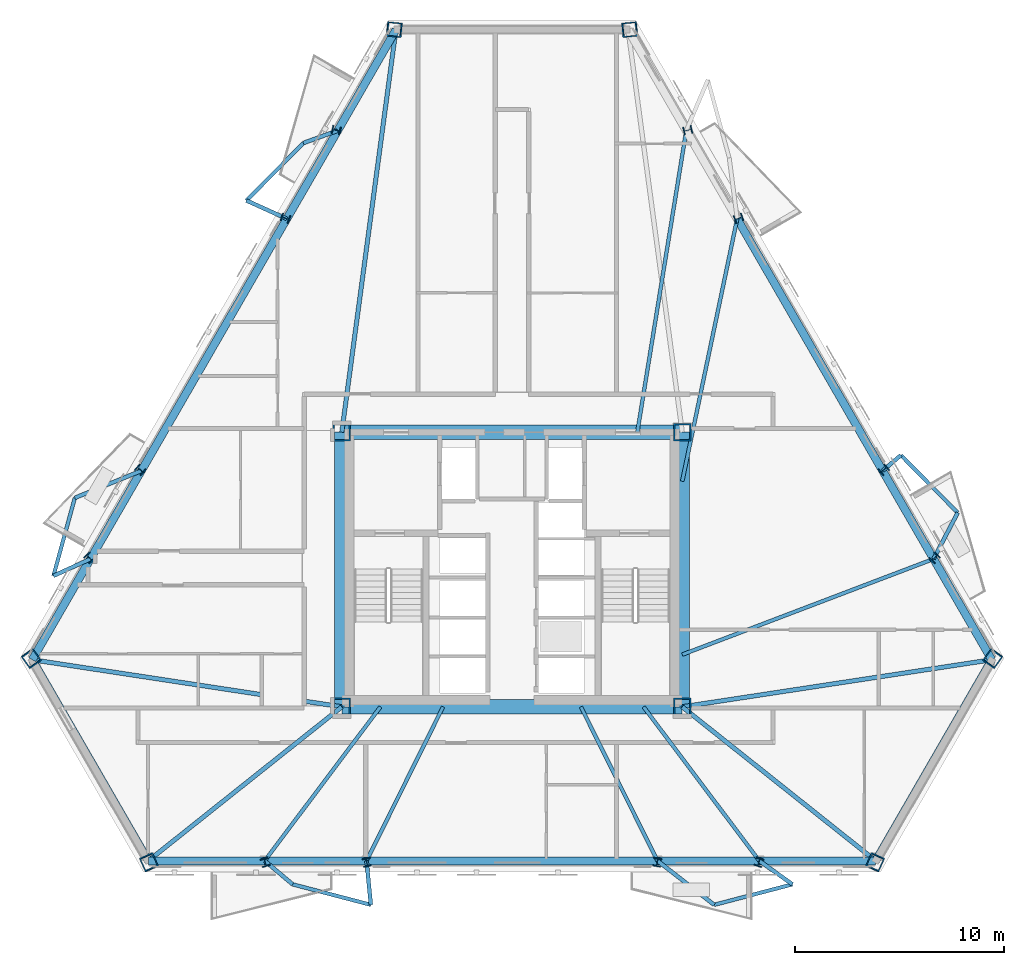
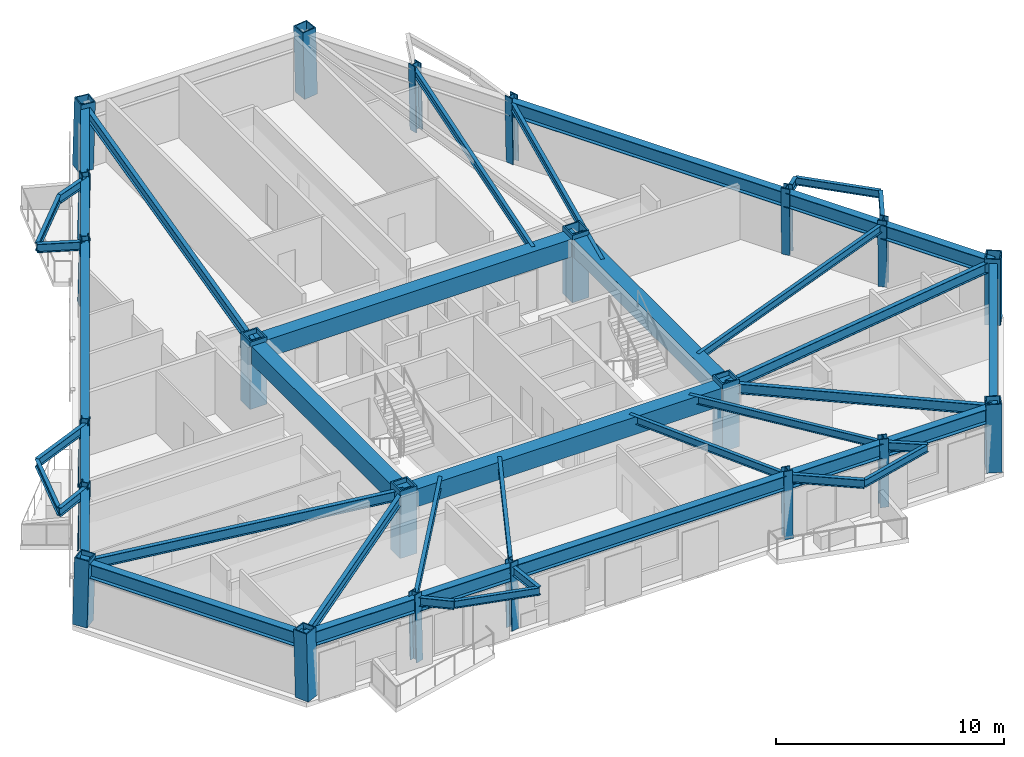
# One storey, part 1 of 11: 46 beams, 22 columns.
"""IFC4 building model written with IfcOpenShell, lengths in metres."""

import ifcopenshell
import ifcopenshell.guid

model = None  # the IFC model being written
_history = None  # IfcOwnerHistory: only IFC2X3 demands one
_inside = {}  # id of a spatial element -> (the spatial element, [elements in it])
_under = {}  # id of a project, library or spatial element -> (it, [spatial elements below it])
_declared = {}  # id of a project -> (the project, [libraries it declares])
_typed = {}  # id of a type object -> (the type object, [elements of that type])
_made_of = {}  # id of a material, layer set ... -> (it, [elements and type objects made of it])


def new_model(schema):
    """Start an empty IFC model of exactly this schema.

    Asked for "IFC4X3", IfcOpenShell would pick the latest addendum, in which some entities
    have other attributes; the version numbers below select the first issue.
    IFC2X3 requires an IfcOwnerHistory on every rooted entity: one is made here for all.
    """
    global model, _history
    if schema == "IFC4X3":
        model = ifcopenshell.file(schema_version=(4, 3, 0, 0))
    else:
        model = ifcopenshell.file(schema=schema)
    _inside.clear()
    _under.clear()
    _declared.clear()
    _typed.clear()
    _made_of.clear()
    _history = None
    if model.schema == "IFC2X3":
        org = make("IfcOrganization", Name="unknown")
        user = make(
            "IfcPersonAndOrganization",
            ThePerson=make("IfcPerson", FamilyName="unknown"),
            TheOrganization=org,
        )
        app = make(
            "IfcApplication",
            ApplicationDeveloper=org,
            Version="unknown",
            ApplicationFullName="unknown",
            ApplicationIdentifier="unknown",
        )
        _history = make(
            "IfcOwnerHistory",
            OwningUser=user,
            OwningApplication=app,
            ChangeAction="ADDED",
            CreationDate=0,
        )
    return model


def make(cls, **values):
    """One entity of the class cls with the attributes given. An attribute that is None is left unset."""
    return model.create_entity(
        cls, **{name: value for name, value in values.items() if value is not None}
    )


def rooted(cls, **values):
    """An entity with a GlobalId (a new one), such as an element, a storey or a relation."""
    return make(cls, GlobalId=ifcopenshell.guid.new(), OwnerHistory=_history, **values)


def si_unit(unit_type, name, prefix=None):
    """IfcSIUnit, for example si_unit("LENGTHUNIT", "METRE", prefix="MILLI")."""
    return make("IfcSIUnit", UnitType=unit_type, Prefix=prefix, Name=name)


def assignment(units):
    """IfcUnitAssignment: the units of a project."""
    return None if units is None else make("IfcUnitAssignment", Units=units)


def point(xyz):
    """IfcCartesianPoint."""
    return None if xyz is None else make("IfcCartesianPoint", Coordinates=xyz)


def direction(xyz):
    """IfcDirection."""
    return None if xyz is None else make("IfcDirection", DirectionRatios=xyz)


def frame(location, z_axis=None, x_axis=None):
    """IfcAxis2Placement3D, a coordinate frame: its origin and axes. An axis left out is left unset."""
    return make(
        "IfcAxis2Placement3D",
        Location=point(location),
        Axis=direction(z_axis),
        RefDirection=direction(x_axis),
    )


def frame_2d(location, x_axis=None):
    """IfcAxis2Placement2D, a coordinate frame in the plane: its origin and x axis."""
    return make(
        "IfcAxis2Placement2D", Location=point(location), RefDirection=direction(x_axis)
    )


def origin():
    """The frame at (0, 0, 0) with its axes left unset."""
    return frame((0.0, 0.0, 0.0))


def origin_2d():
    """The frame at (0, 0) in the plane with its x axis left unset."""
    return frame_2d((0.0, 0.0))


def place(relative_to, where):
    """IfcLocalPlacement: puts the frame where relative to a parent placement (None: the world)."""
    return make(
        "IfcLocalPlacement", PlacementRelTo=relative_to, RelativePlacement=where
    )


def context(
    kind, dimensions, precision=None, world=None, true_north=None, identifier=None
):
    """IfcGeometricRepresentationContext, for example the 3D "Model" context."""
    return make(
        "IfcGeometricRepresentationContext",
        ContextIdentifier=identifier,
        ContextType=kind,
        CoordinateSpaceDimension=dimensions,
        Precision=precision,
        WorldCoordinateSystem=world,
        TrueNorth=true_north,
    )


def subcontext(parent, identifier, kind, view, scale=None):
    """IfcGeometricRepresentationSubContext, for example "Body" below "Model"."""
    return make(
        "IfcGeometricRepresentationSubContext",
        ContextIdentifier=identifier,
        ContextType=kind,
        ParentContext=parent,
        TargetScale=scale,
        TargetView=view,
    )


def project(units=None, contexts=None):
    """IfcProject with its units and contexts."""
    return rooted(
        "IfcProject",
        Name="project",
        RepresentationContexts=contexts,
        UnitsInContext=assignment(units),
    )


def spatial(cls, under=None, at=None, **own):
    """A site, building, storey or space (cls), placed at a placement, below another one or the project."""
    s = rooted(cls, ObjectPlacement=at, **own)
    if under is not None:
        _under.setdefault(under.id(), (under, []))[1].append(s)
    return s


def profile(cls, at=None, kind="AREA", **sizes):
    """A parametric profile (cls). Its sizes go by their IFC names, for example OverallWidth=200.0."""
    return make(cls, ProfileType=kind, Position=at, **sizes)


def rectangle(**sizes):
    """IfcRectangleProfileDef."""
    return profile("IfcRectangleProfileDef", **sizes)


def hollow_rectangle(**sizes):
    """IfcRectangleHollowProfileDef."""
    return profile("IfcRectangleHollowProfileDef", **sizes)


def i_section(**sizes):
    """IfcIShapeProfileDef."""
    return profile("IfcIShapeProfileDef", **sizes)


def extrude(swept, where, along, depth):
    """IfcExtrudedAreaSolid: the profile swept, set in the frame where, extruded along a direction by depth."""
    return make(
        "IfcExtrudedAreaSolid",
        SweptArea=swept,
        Position=where,
        ExtrudedDirection=direction(along),
        Depth=depth,
    )


def shape(context_of_items, identifier, shape_type, items):
    """IfcShapeRepresentation: the items that make up one representation, for example the "Body"."""
    return make(
        "IfcShapeRepresentation",
        ContextOfItems=context_of_items,
        RepresentationIdentifier=identifier,
        RepresentationType=shape_type,
        Items=items,
    )


def material(Name=None, Category=None):
    """IfcMaterial."""
    return make("IfcMaterial", Name=Name, Category=Category)


def material_profile(
    of_material, cross_section, Name=None, Category=None, Priority=None
):
    """IfcMaterialProfile: a cross section and its material."""
    return make(
        "IfcMaterialProfile",
        Name=Name,
        Material=of_material,
        Profile=cross_section,
        Priority=Priority,
        Category=Category,
    )


def profile_set(profiles, Name=None, composite=None):
    """IfcMaterialProfileSet."""
    return make(
        "IfcMaterialProfileSet",
        Name=Name,
        MaterialProfiles=profiles,
        CompositeProfile=composite,
    )


def made_of(thing, what):
    """Note that an element or type object is made of a material, layer set ...; save() writes the relation."""
    if what is not None:
        _made_of.setdefault(what.id(), (what, []))[1].append(thing)
    return thing


def type_object(cls, material=None, **own):
    """A type object (cls), such as IfcWallType, which elements share."""
    return made_of(rooted(cls, **own), material)


def element(
    cls,
    number,
    at=None,
    inside=None,
    cuts=None,
    type_object=None,
    material=None,
    context=None,
    identifier="Body",
    shape_type=None,
    held_by="IfcProductDefinitionShape",
    body=None,
    shapes=None,
    **own,
):
    """One element of the class cls, such as IfcWall. Its Tag is "e" and its number.

    at: its placement. inside: the storey or other place that contains it. cuts: it is an
    opening in that element (IfcRelVoidsElement). A single representation is given by context,
    identifier, shape_type and body (its items); several are given by shapes. held_by: the class
    of the entity that holds the representations. save() writes the other relations.
    """
    e = rooted(cls, Tag="e%d" % number, ObjectPlacement=at, **own)
    if body is not None:
        shapes = [shape(context, identifier, shape_type, body)]
    if shapes is not None:
        e.Representation = make(held_by, Representations=shapes)
    if inside is not None:
        _inside.setdefault(inside.id(), (inside, []))[1].append(e)
    if cuts is not None:
        rooted(
            "IfcRelVoidsElement", RelatingBuildingElement=cuts, RelatedOpeningElement=e
        )
    if type_object is not None:
        _typed.setdefault(type_object.id(), (type_object, []))[1].append(e)
    return made_of(e, material)


def aggregate(whole, parts):
    """IfcRelAggregates: a whole, such as a stair, and the parts it consists of."""
    return rooted("IfcRelAggregates", RelatingObject=whole, RelatedObjects=parts)


def save(model, path):
    """Write the relations noted so far, then the file.

    IfcRelAggregates (storeys below a building ...), IfcRelContainedInSpatialStructure (elements
    in a storey), IfcRelDefinesByType, IfcRelAssociatesMaterial and IfcRelDeclares: one each for
    every whole, place, type object, material and project.
    """
    for whole, parts in _under.values():
        aggregate(whole, parts)
    for where, things in _inside.values():
        rooted(
            "IfcRelContainedInSpatialStructure",
            RelatedElements=things,
            RelatingStructure=where,
        )
    for kind, things in _typed.values():
        rooted("IfcRelDefinesByType", RelatedObjects=things, RelatingType=kind)
    for what, things in _made_of.values():
        rooted("IfcRelAssociatesMaterial", RelatedObjects=things, RelatingMaterial=what)
    for by, libraries in _declared.values():
        rooted("IfcRelDeclares", RelatingContext=by, RelatedDefinitions=libraries)
    model.write(path)


model = new_model("IFC4")

# Units and contexts
model_context = context("Model", 3, precision=1e-05, world=origin(), true_north=direction((0.0, 1.0)))
body_context = subcontext(model_context, "Body", "Model", "MODEL_VIEW")
ifc_project = project(units=[si_unit("LENGTHUNIT", "METRE"), si_unit("AREAUNIT", "SQUARE_METRE"), si_unit("VOLUMEUNIT", "CUBIC_METRE"), si_unit("PLANEANGLEUNIT", "RADIAN"), si_unit("MASSUNIT", "GRAM", prefix="KILO")], contexts=[model_context])

# Site, building, storey
site_placement = place(None, origin())
site = spatial("IfcSite", under=ifc_project, at=site_placement, CompositionType="ELEMENT")
building_placement = place(site_placement, origin())
building = spatial("IfcBuilding", under=site, at=building_placement, Name="Oramaril Tower", CompositionType="ELEMENT")
storey_placement = place(building_placement, frame((0.0, 0.0, 112.199951171875)))
storey = spatial("IfcBuildingStorey", under=building, at=storey_placement, Name="L29", CompositionType="ELEMENT", Elevation=112.199951171875)

# Columns
ifc_material_1 = material(Name="Steel ASTM A572 Gr 50", Category="steel")
ifc_material_profile_1 = material_profile(ifc_material_1, hollow_rectangle(XDim=0.85009765625, YDim=0.85009765625, WallThickness=0.070068359375, at=origin_2d()), Name="BOX850X850X70")
ifc_profile_set_1 = profile_set([ifc_material_profile_1], Name="Steel ASTM A572 Gr 50")
column_type_1 = type_object("IfcColumnType", Name="CT-CC3", PredefinedType="COLUMN", material=ifc_profile_set_1)
for number, where, z_axis, x_axis, name in (
    (1, (29.35009765625, 11.0, 0.0), (0.0, 0.0, 1.0), (1.0, 0.0, 0.0), "L29 Core Column CC-1"),
    (2, (45.64990234375, 11.0, 0.0), (0.0, 0.0, 1.0), (1.0, 0.0, 0.0), "L29 Core Column CC-2"),
    (3, (45.64990234375, 24.14990234375, 0.0), (0.0, 0.0, 1.0), (1.0, 0.0, 0.0), "L29 Core Column CC-3"),
    (4, (29.35009765625, 24.14990234375, 0.0), (0.0, 0.0, 1.0), (1.0, 0.0, 0.0), "L29 Core Column CC-4"),
):
    element("IfcColumn", number, at=place(storey_placement, frame(where, z_axis=z_axis, x_axis=x_axis)), inside=storey, type_object=column_type_1, Name=name, PredefinedType="COLUMN", context=body_context, shape_type="SweptSolid", body=[
        extrude(hollow_rectangle(XDim=0.85009765625, YDim=0.85009765625, WallThickness=0.070068359375, at=origin_2d()), origin(), (0.0, 0.0, 1.0), 3.60009765625),
    ])
ifc_material_2 = material(Name="Steel ASTM A572 Gr 50", Category="steel")
ifc_material_profile_2 = material_profile(ifc_material_2, hollow_rectangle(XDim=0.699951171875, YDim=0.699951171875, WallThickness=0.054931640625, at=origin_2d()), Name="BOX700X700X55")
ifc_profile_set_2 = profile_set([ifc_material_profile_2], Name="Steel ASTM A572 Gr 50")
column_type_2 = type_object("IfcColumnType", Name="CT-TC4", PredefinedType="COLUMN", material=ifc_profile_set_2)
for number, where, z_axis, x_axis, name in (
    (5, (14.47509765625, 13.330322265625, 0.004638671875), (0.015088800127, -0.020934010987, 0.9996669922), (0.811234488781, 0.584720962693, 0.0), "L29 Tube Column TC-01"),
    (6, (20.125, 3.544677734375, 0.004638671875), (-0.010602926009, 0.023584713622, 0.999665613715), (-0.912068988654, -0.410036778761, 0.0), "L29 Tube Column TC-02"),
    (7, (54.875, 3.544677734375, 0.004638671875), (0.010602926009, 0.023584713622, 0.999665613715), (-0.912068988654, 0.410036778761, 0.0), "L29 Tube Column TC-03"),
    (8, (60.52490234375, 13.330322265625, 0.004638671875), (-0.015088800127, -0.020934010987, 0.9996669922), (0.811234488781, -0.584720962693, 0.0), "L29 Tube Column TC-04"),
    (9, (43.149658203125, 43.4248046875, 0.004638671875), (-0.025623807221, -0.00258277102, 0.999668319893), (0.100287593249, -0.994958490913, 0.0), "L29 Tube Column TC-05"),
    (10, (31.850341796875, 43.4248046875, 0.004638671875), (0.025623807221, -0.00258277102, 0.999668319893), (0.100287593249, 0.994958490913, 0.0), "L29 Tube Column TC-06"),
):
    element("IfcColumn", number, at=place(storey_placement, frame(where, z_axis=z_axis, x_axis=x_axis)), inside=storey, type_object=column_type_2, Name=name, PredefinedType="COLUMN", context=body_context, shape_type="SweptSolid", body=[
        extrude(hollow_rectangle(XDim=0.699951171875, YDim=0.699951171875, WallThickness=0.054931640625, at=origin_2d()), origin(), (0.0, 0.0, 1.0), 3.592041015625),
    ])
ifc_material_3 = material(Name="Steel ASTM A572 Gr 50", Category="steel")
ifc_material_profile_3 = material_profile(ifc_material_3, i_section(OverallWidth=0.404052734375, OverallDepth=0.406005859375, WebThickness=0.027099609375, FlangeThickness=0.043701171875, at=origin_2d()), Name="W14X233")
ifc_profile_set_3 = profile_set([ifc_material_profile_3], Name="Steel ASTM A572 Gr 50")
column_type_3 = type_object("IfcColumnType", Name="CT-TF3", PredefinedType="COLUMN", material=ifc_profile_set_3)
for number, where, z_axis, x_axis, name in (
    (11, (25.684814453125, 3.544677734375, 0.004638671875), (-0.007136804242, 0.023585438782, 0.99969635045), (-0.957140321553, -0.289624592977, 0.0), "L29 Tube Column TC-07"),
    (12, (30.550048828125, 3.544677734375, 0.004638671875), (-0.004214182885, 0.023585830018, 0.999712933439), (-0.984410037135, -0.175888825079, 0.0), "L29 Tube Column TC-08"),
    (13, (44.449951171875, 3.544677734375, 0.004638671875), (0.004214182885, 0.023585830018, 0.999712933439), (-0.984410037135, 0.175888825079, 0.0), "L29 Tube Column TC-09"),
    (14, (49.315185546875, 3.544677734375, 0.004638671875), (0.007136804242, 0.023585438782, 0.99969635045), (-0.957140321553, 0.289624592977, 0.0), "L29 Tube Column TC-10"),
    (15, (57.744873046875, 18.1455078125, 0.004638671875), (-0.016788490117, -0.018011942838, 0.999696812296), (0.731514081787, -0.681826332835, 0.0), "L29 Tube Column TC-11"),
    (16, (55.312255859375, 22.358642578125, 0.004638671875), (-0.018284131398, -0.015429359953, 0.999713771732), (0.644922799806, -0.764247723118, 0.0), "L29 Tube Column TC-12"),
    (17, (48.3623046875, 34.396484375, 0.004638671875), (-0.022498326548, -0.008088522233, 0.999714159703), (0.338316746334, -0.941032294425, 0.0), "L29 Tube Column TC-13"),
    (18, (45.9296875, 38.60986328125, 0.004638671875), (-0.023993261765, -0.005573505566, 0.999696583682), (0.226269970362, -0.974064628509, 0.0), "L29 Tube Column TC-14"),
    (19, (29.0703125, 38.60986328125, 0.004638671875), (0.023993261765, -0.005573505566, 0.999696583682), (0.226269970362, 0.974064628509, 0.0), "L29 Tube Column TC-15"),
    (20, (26.6376953125, 34.396484375, 0.004638671875), (0.022498326548, -0.008088522233, 0.999714159703), (0.338316746334, 0.941032294425, 0.0), "L29 Tube Column TC-16"),
    (21, (19.687744140625, 22.358642578125, 0.004638671875), (0.018284131398, -0.015429359953, 0.999713771732), (0.644922799806, 0.764247723118, 0.0), "L29 Tube Column TC-17"),
    (22, (17.255126953125, 18.1455078125, 0.004638671875), (0.016788490117, -0.018011942838, 0.999696812296), (0.731514081787, 0.681826332835, 0.0), "L29 Tube Column TC-18"),
):
    element("IfcColumn", number, at=place(storey_placement, frame(where, z_axis=z_axis, x_axis=x_axis)), inside=storey, type_object=column_type_3, Name=name, PredefinedType="COLUMN", context=body_context, shape_type="SweptSolid", body=[
        extrude(i_section(OverallWidth=0.404052734375, OverallDepth=0.406005859375, WebThickness=0.027099609375, FlangeThickness=0.043701171875, at=origin_2d()), origin(), (0.0, 0.0, 1.0), 3.591796875),
    ])

# Beams
ifc_material_4 = material(Name="Steel ASTM A572 Gr 50", Category="steel")
ifc_material_profile_4 = material_profile(ifc_material_4, i_section(OverallWidth=0.19091796875, OverallDepth=0.45703125, WebThickness=0.009033203125, FlangeThickness=0.014404296875, at=origin_2d()), Name="W18X50")
ifc_profile_set_4 = profile_set([ifc_material_profile_4], Name="Steel ASTM A572 Gr 50")
beam_type_1 = type_object("IfcBeamType", Name="BT-BB1", PredefinedType="BEAM", material=ifc_profile_set_4)
beam_1_placement = place(storey_placement, frame((25.6591796875, 3.62939453125, 3.131591796875), z_axis=(0.765001543869, -0.644028444929, 0.0), x_axis=(0.644028444929, 0.765001543869, 0.0)))
element("IfcBeam", 23, at=beam_1_placement, inside=storey, type_object=beam_type_1, Name="L29 Balcony Column-Framed Cantilever 01.1", PredefinedType="BEAM", context=body_context, shape_type="SweptSolid", body=[
    extrude(i_section(OverallWidth=0.19091796875, OverallDepth=0.45703125, WebThickness=0.009033203125, FlangeThickness=0.014404296875, at=origin_2d()), origin(), (0.0, 0.0, 1.0), 1.751708984375),
])
beam_2_placement = place(storey_placement, frame((30.534912109375, 3.62939453125, 3.131591796875), z_axis=(0.098419667533, -0.995144999004, 0.0), x_axis=(0.995144999004, 0.098419667533, 0.0)))
element("IfcBeam", 24, at=beam_2_placement, inside=storey, type_object=beam_type_1, Name="L29 Balcony Column-Framed Cantilever 01.2", PredefinedType="BEAM", context=body_context, shape_type="SweptSolid", body=[
    extrude(i_section(OverallWidth=0.19091796875, OverallDepth=0.45703125, WebThickness=0.009033203125, FlangeThickness=0.014404296875, at=origin_2d()), origin(), (0.0, 0.0, 1.0), 2.118408203125),
])
beam_3_placement = place(storey_placement, frame((44.465087890625, 3.62939453125, 3.131591796875), z_axis=(0.790016969381, -0.613084976239, 0.0), x_axis=(0.613084976239, 0.790016969381, 0.0)))
element("IfcBeam", 25, at=beam_3_placement, inside=storey, type_object=beam_type_1, Name="L29 Balcony Column-Framed Cantilever 02.1", PredefinedType="BEAM", context=body_context, shape_type="SweptSolid", body=[
    extrude(i_section(OverallWidth=0.19091796875, OverallDepth=0.45703125, WebThickness=0.009033203125, FlangeThickness=0.014404296875, at=origin_2d()), origin(), (0.0, 0.0, 1.0), 3.438720703125),
])
beam_4_placement = place(storey_placement, frame((49.3408203125, 3.62939453125, 3.131591796875), z_axis=(0.814690509785, -0.579896002113, 0.0), x_axis=(0.579896002113, 0.814690509785, 0.0)))
element("IfcBeam", 26, at=beam_4_placement, inside=storey, type_object=beam_type_1, Name="L29 Balcony Column-Framed Cantilever 02.2", PredefinedType="BEAM", context=body_context, shape_type="SweptSolid", body=[
    extrude(i_section(OverallWidth=0.19091796875, OverallDepth=0.45703125, WebThickness=0.009033203125, FlangeThickness=0.014404296875, at=origin_2d()), origin(), (0.0, 0.0, 1.0), 1.945556640625),
])
beam_5_placement = place(storey_placement, frame((57.6845703125, 18.080810546875, 3.131591796875), z_axis=(0.462589387905, 0.886572646881, 0.0), x_axis=(-0.886572646881, 0.462589387905, 0.0)))
element("IfcBeam", 27, at=beam_5_placement, inside=storey, type_object=beam_type_1, Name="L29 Balcony Column-Framed Cantilever 03.1", PredefinedType="BEAM", context=body_context, shape_type="SweptSolid", body=[
    extrude(i_section(OverallWidth=0.19091796875, OverallDepth=0.45703125, WebThickness=0.009033203125, FlangeThickness=0.014404296875, at=origin_2d()), origin(), (0.0, 0.0, 1.0), 2.498046875),
])
beam_6_placement = place(storey_placement, frame((55.24658203125, 22.30322265625, 3.131591796875), z_axis=(0.76075669102, 0.649037176954, 0.0), x_axis=(-0.649037176954, 0.76075669102, 0.0)))
element("IfcBeam", 28, at=beam_6_placement, inside=storey, type_object=beam_type_1, Name="L29 Balcony Column-Framed Cantilever 03.2", PredefinedType="BEAM", context=body_context, shape_type="SweptSolid", body=[
    extrude(i_section(OverallWidth=0.19091796875, OverallDepth=0.45703125, WebThickness=0.009033203125, FlangeThickness=0.014404296875, at=origin_2d()), origin(), (0.0, 0.0, 1.0), 1.147216796875),
])
beam_7_placement = place(storey_placement, frame((29.156494140625, 38.58984375, 3.131591796875), z_axis=(-0.940244309496, -0.340500570427, 0.0), x_axis=(0.340500570427, -0.940244309496, 0.0)))
element("IfcBeam", 29, at=beam_7_placement, inside=storey, type_object=beam_type_1, Name="L29 Balcony Column-Framed Cantilever 05.1", PredefinedType="BEAM", context=body_context, shape_type="SweptSolid", body=[
    extrude(i_section(OverallWidth=0.19091796875, OverallDepth=0.45703125, WebThickness=0.009033203125, FlangeThickness=0.014404296875, at=origin_2d()), origin(), (0.0, 0.0, 1.0), 1.751708984375),
])
beam_8_placement = place(storey_placement, frame((26.718505859375, 34.367431640625, 3.131591796875), z_axis=(-0.911048138605, 0.412299998961, 0.0), x_axis=(-0.412299998961, -0.911048138605, 0.0)))
element("IfcBeam", 30, at=beam_8_placement, inside=storey, type_object=beam_type_1, Name="L29 Balcony Column-Framed Cantilever 05.2", PredefinedType="BEAM", context=body_context, shape_type="SweptSolid", body=[
    extrude(i_section(OverallWidth=0.19091796875, OverallDepth=0.45703125, WebThickness=0.009033203125, FlangeThickness=0.014404296875, at=origin_2d()), origin(), (0.0, 0.0, 1.0), 2.1181640625),
])
beam_9_placement = place(storey_placement, frame((19.75341796875, 22.30322265625, 3.131591796875), z_axis=(-0.925943433069, -0.377662228395, 0.0), x_axis=(0.377662228395, -0.925943433069, 0.0)))
element("IfcBeam", 31, at=beam_9_placement, inside=storey, type_object=beam_type_1, Name="L29 Balcony Column-Framed Cantilever 06.1", PredefinedType="BEAM", context=body_context, shape_type="SweptSolid", body=[
    extrude(i_section(OverallWidth=0.19091796875, OverallDepth=0.45703125, WebThickness=0.009033203125, FlangeThickness=0.014404296875, at=origin_2d()), origin(), (0.0, 0.0, 1.0), 3.4384765625),
])
beam_10_placement = place(storey_placement, frame((17.3154296875, 18.080810546875, 3.131591796875), z_axis=(-0.909517858458, -0.415664847138, 0.0), x_axis=(0.415664847138, -0.909517858458, 0.0)))
element("IfcBeam", 32, at=beam_10_placement, inside=storey, type_object=beam_type_1, Name="L29 Balcony Column-Framed Cantilever 06.2", PredefinedType="BEAM", context=body_context, shape_type="SweptSolid", body=[
    extrude(i_section(OverallWidth=0.19091796875, OverallDepth=0.45703125, WebThickness=0.009033203125, FlangeThickness=0.014404296875, at=origin_2d()), origin(), (0.0, 0.0, 1.0), 1.9453125),
])
ifc_material_5 = material(Name="Concrete C50/60", Category="concrete")
ifc_material_profile_5 = material_profile(ifc_material_5, rectangle(XDim=0.699951171875, YDim=0.949951171875, at=origin_2d()), Name="CB700X950")
ifc_profile_set_5 = profile_set([ifc_material_profile_5], Name="Concrete C50/60")
beam_type_2 = type_object("IfcBeamType", Name="BT-CB1", PredefinedType="BEAM", material=ifc_profile_set_5)
beam_11_placement = place(storey_placement, frame((29.35009765625, 11.0, 2.885009765625), z_axis=(1.0, 0.0, 0.0), x_axis=(0.0, 1.0, 0.0)))
element("IfcBeam", 33, at=beam_11_placement, inside=storey, type_object=beam_type_2, Name="L29 Core Header Beam CB-1", PredefinedType="BEAM", context=body_context, shape_type="SweptSolid", body=[
    extrude(rectangle(XDim=0.699951171875, YDim=0.949951171875, at=origin_2d()), origin(), (0.0, 0.0, 1.0), 16.2998046875),
])
beam_12_placement = place(storey_placement, frame((45.64990234375, 11.0, 2.885009765625), z_axis=(0.0, 1.0, 0.0), x_axis=(-1.0, 0.0, 0.0)))
element("IfcBeam", 34, at=beam_12_placement, inside=storey, type_object=beam_type_2, Name="L29 Core Header Beam CB-2", PredefinedType="BEAM", context=body_context, shape_type="SweptSolid", body=[
    extrude(rectangle(XDim=0.699951171875, YDim=0.949951171875, at=origin_2d()), origin(), (0.0, 0.0, 1.0), 13.14990234375),
])
beam_13_placement = place(storey_placement, frame((45.64990234375, 24.14990234375, 2.885009765625), z_axis=(-1.0, 0.0, 0.0), x_axis=(0.0, -1.0, 0.0)))
element("IfcBeam", 35, at=beam_13_placement, inside=storey, type_object=beam_type_2, Name="L29 Core Header Beam CB-3", PredefinedType="BEAM", context=body_context, shape_type="SweptSolid", body=[
    extrude(rectangle(XDim=0.699951171875, YDim=0.949951171875, at=origin_2d()), origin(), (0.0, 0.0, 1.0), 16.2998046875),
])
beam_14_placement = place(storey_placement, frame((29.35009765625, 24.14990234375, 2.885009765625), z_axis=(0.0, -1.0, 0.0), x_axis=(1.0, 0.0, 0.0)))
element("IfcBeam", 36, at=beam_14_placement, inside=storey, type_object=beam_type_2, Name="L29 Core Header Beam CB-4", PredefinedType="BEAM", context=body_context, shape_type="SweptSolid", body=[
    extrude(rectangle(XDim=0.699951171875, YDim=0.949951171875, at=origin_2d()), origin(), (0.0, 0.0, 1.0), 13.14990234375),
])
ifc_material_6 = material(Name="Steel ASTM A572 Gr 50", Category="steel")
ifc_material_profile_6 = material_profile(ifc_material_6, i_section(OverallWidth=0.2099609375, OverallDepth=0.535888671875, WebThickness=0.010986328125, FlangeThickness=0.017333984375, at=origin_2d()), Name="W21X68")
ifc_profile_set_6 = profile_set([ifc_material_profile_6], Name="Steel ASTM A572 Gr 50")
beam_type_3 = type_object("IfcBeamType", Name="BT-FB2", PredefinedType="BEAM", material=ifc_profile_set_6)
beam_15_placement = place(storey_placement, frame((29.35009765625, 11.0, 3.092041015625), z_axis=(-0.988620943436, 0.15042815627, 0.0), x_axis=(-0.15042815627, -0.988620943436, 0.0)))
element("IfcBeam", 37, at=beam_15_placement, inside=storey, type_object=beam_type_3, Name="L29 Radial Primary Beam RB-01", PredefinedType="BEAM", context=body_context, shape_type="SweptSolid", body=[
    extrude(i_section(OverallWidth=0.2099609375, OverallDepth=0.535888671875, WebThickness=0.010986328125, FlangeThickness=0.017333984375, at=origin_2d()), origin(), (0.0, 0.0, 1.0), 14.991455078125),
])
for number, where, z_axis, x_axis, name in (
    (38, (29.35009765625, 11.0, 3.092041015625), (-0.782511986937, -0.622635519626, 0.0), (0.622635519626, -0.782511986937, 0.0), "L29 Radial Primary Beam RB-02"),
    (39, (45.64990234375, 11.0, 3.092041015625), (0.782511986937, -0.622635519626, 0.0), (0.622635519626, 0.782511986937, 0.0), "L29 Radial Primary Beam RB-03"),
):
    element("IfcBeam", number, at=place(storey_placement, frame(where, z_axis=z_axis, x_axis=x_axis)), inside=storey, type_object=beam_type_3, Name=name, PredefinedType="BEAM", context=body_context, shape_type="SweptSolid", body=[
        extrude(i_section(OverallWidth=0.2099609375, OverallDepth=0.535888671875, WebThickness=0.010986328125, FlangeThickness=0.017333984375, at=origin_2d()), origin(), (0.0, 0.0, 1.0), 11.837646484375),
    ])
beam_16_placement = place(storey_placement, frame((45.64990234375, 11.0, 3.092041015625), z_axis=(0.988620943436, 0.15042815627, 0.0), x_axis=(-0.15042815627, 0.988620943436, 0.0)))
element("IfcBeam", 40, at=beam_16_placement, inside=storey, type_object=beam_type_3, Name="L29 Radial Primary Beam RB-04", PredefinedType="BEAM", context=body_context, shape_type="SweptSolid", body=[
    extrude(i_section(OverallWidth=0.2099609375, OverallDepth=0.535888671875, WebThickness=0.010986328125, FlangeThickness=0.017333984375, at=origin_2d()), origin(), (0.0, 0.0, 1.0), 14.991455078125),
])
beam_17_placement = place(storey_placement, frame((29.35009765625, 24.14990234375, 3.092041015625), z_axis=(0.133353180468, 0.991068579493, 0.0), x_axis=(-0.991068579493, 0.133353180468, 0.0)))
element("IfcBeam", 41, at=beam_17_placement, inside=storey, type_object=beam_type_3, Name="L29 Radial Primary Beam RB-06", PredefinedType="BEAM", context=body_context, shape_type="SweptSolid", body=[
    extrude(i_section(OverallWidth=0.2099609375, OverallDepth=0.535888671875, WebThickness=0.010986328125, FlangeThickness=0.017333984375, at=origin_2d()), origin(), (0.0, 0.0, 1.0), 19.439208984375),
])
ifc_material_7 = material(Name="Steel ASTM A572 Gr 50", Category="steel")
ifc_material_profile_7 = material_profile(ifc_material_7, i_section(OverallWidth=0.177978515625, OverallDepth=0.404052734375, WebThickness=0.007568359375, FlangeThickness=0.010986328125, at=origin_2d()), Name="W16X36")
ifc_profile_set_7 = profile_set([ifc_material_profile_7], Name="Steel ASTM A572 Gr 50")
beam_type_4 = type_object("IfcBeamType", Name="BT-SB1", PredefinedType="BEAM", material=ifc_profile_set_7)
beam_18_placement = place(storey_placement, frame((31.199951171875, 11.0, 3.157958984375), z_axis=(-0.600889246942, -0.799332291922, 0.0), x_axis=(0.799332291922, -0.600889246942, 0.0)))
element("IfcBeam", 42, at=beam_18_placement, inside=storey, type_object=beam_type_4, Name="L29 Secondary Floor Beam SB-01", PredefinedType="BEAM", context=body_context, shape_type="SweptSolid", body=[
    extrude(i_section(OverallWidth=0.177978515625, OverallDepth=0.404052734375, WebThickness=0.007568359375, FlangeThickness=0.010986328125, at=origin_2d()), origin(), (0.0, 0.0, 1.0), 9.220947265625),
])
for number, where, z_axis, x_axis, name in (
    (43, (34.199951171875, 11.0, 3.157958984375), (-0.445243143961, -0.895409706646, 0.0), (0.895409706646, -0.445243143961, 0.0), "L29 Secondary Floor Beam SB-02"),
    (44, (40.800048828125, 11.0, 3.157958984375), (0.445243143961, -0.895409706646, 0.0), (0.895409706646, 0.445243143961, 0.0), "L29 Secondary Floor Beam SB-03"),
):
    element("IfcBeam", number, at=place(storey_placement, frame(where, z_axis=z_axis, x_axis=x_axis)), inside=storey, type_object=beam_type_4, Name=name, PredefinedType="BEAM", context=body_context, shape_type="SweptSolid", body=[
        extrude(i_section(OverallWidth=0.177978515625, OverallDepth=0.404052734375, WebThickness=0.007568359375, FlangeThickness=0.010986328125, at=origin_2d()), origin(), (0.0, 0.0, 1.0), 8.2314453125),
    ])
beam_19_placement = place(storey_placement, frame((43.800048828125, 11.0, 3.157958984375), z_axis=(0.600889246942, -0.799332291922, 0.0), x_axis=(0.799332291922, 0.600889246942, 0.0)))
element("IfcBeam", 45, at=beam_19_placement, inside=storey, type_object=beam_type_4, Name="L29 Secondary Floor Beam SB-04", PredefinedType="BEAM", context=body_context, shape_type="SweptSolid", body=[
    extrude(i_section(OverallWidth=0.177978515625, OverallDepth=0.404052734375, WebThickness=0.007568359375, FlangeThickness=0.010986328125, at=origin_2d()), origin(), (0.0, 0.0, 1.0), 9.220947265625),
])
beam_20_placement = place(storey_placement, frame((45.64990234375, 13.5, 3.157958984375), z_axis=(0.934586513265, 0.355735926247, 0.0), x_axis=(-0.355735926247, 0.934586513265, 0.0)))
element("IfcBeam", 46, at=beam_20_placement, inside=storey, type_object=beam_type_4, Name="L29 Secondary Floor Beam SB-05", PredefinedType="BEAM", context=body_context, shape_type="SweptSolid", body=[
    extrude(i_section(OverallWidth=0.177978515625, OverallDepth=0.404052734375, WebThickness=0.007568359375, FlangeThickness=0.010986328125, at=origin_2d()), origin(), (0.0, 0.0, 1.0), 12.876953125),
])
beam_21_placement = place(storey_placement, frame((45.64990234375, 21.800048828125, 3.157958984375), z_axis=(0.204953386664, 0.978771735031, 0.0), x_axis=(-0.978771735031, 0.204953386664, 0.0)))
element("IfcBeam", 47, at=beam_21_placement, inside=storey, type_object=beam_type_4, Name="L29 Secondary Floor Beam SB-06", PredefinedType="BEAM", context=body_context, shape_type="SweptSolid", body=[
    extrude(i_section(OverallWidth=0.177978515625, OverallDepth=0.404052734375, WebThickness=0.007568359375, FlangeThickness=0.010986328125, at=origin_2d()), origin(), (0.0, 0.0, 1.0), 12.83984375),
])
beam_22_placement = place(storey_placement, frame((43.5, 24.14990234375, 3.157958984375), z_axis=(0.160197292498, 0.987085015324, 0.0), x_axis=(-0.987085015324, 0.160197292498, 0.0)))
element("IfcBeam", 48, at=beam_22_placement, inside=storey, type_object=beam_type_4, Name="L29 Secondary Floor Beam SB-07", PredefinedType="BEAM", context=body_context, shape_type="SweptSolid", body=[
    extrude(i_section(OverallWidth=0.177978515625, OverallDepth=0.404052734375, WebThickness=0.007568359375, FlangeThickness=0.010986328125, at=origin_2d()), origin(), (0.0, 0.0, 1.0), 14.62890625),
])
for number, where, z_axis, x_axis, name in (
    (49, (26.999267578125, 2.501220703125, 3.157958984375), (0.967411967632, -0.253207592467, 0.0), (0.253207592467, 0.967411967632, 0.0), "L29 Balcony Edge Tie Beam 01"),
    (50, (47.181640625, 1.521240234375, 3.157958984375), (0.967411967632, 0.253207592467, 0.0), (-0.253207592467, 0.967411967632, 0.0), "L29 Balcony Edge Tie Beam 02"),
):
    element("IfcBeam", number, at=place(storey_placement, frame(where, z_axis=z_axis, x_axis=x_axis)), inside=storey, type_object=beam_type_4, Name=name, PredefinedType="BEAM", context=body_context, shape_type="SweptSolid", body=[
        extrude(i_section(OverallWidth=0.177978515625, OverallDepth=0.404052734375, WebThickness=0.007568359375, FlangeThickness=0.010986328125, at=origin_2d()), origin(), (0.0, 0.0, 1.0), 3.870361328125),
    ])
beam_23_placement = place(storey_placement, frame((58.840087890625, 20.29541015625, 3.157958984375), z_axis=(-0.702994511648, 0.71119527318, 0.0), x_axis=(-0.71119527318, -0.702994511648, 0.0)))
element("IfcBeam", 51, at=beam_23_placement, inside=storey, type_object=beam_type_4, Name="L29 Balcony Edge Tie Beam 03", PredefinedType="BEAM", context=body_context, shape_type="SweptSolid", body=[
    extrude(i_section(OverallWidth=0.177978515625, OverallDepth=0.404052734375, WebThickness=0.007568359375, FlangeThickness=0.010986328125, at=origin_2d()), origin(), (0.0, 0.0, 1.0), 3.8701171875),
])
beam_24_placement = place(storey_placement, frame((27.509521484375, 37.993408203125, 3.157958984375), z_axis=(-0.702962973102, -0.711226446673, 0.0), x_axis=(0.711226446673, -0.702962973102, 0.0)))
element("IfcBeam", 52, at=beam_24_placement, inside=storey, type_object=beam_type_4, Name="L29 Balcony Edge Tie Beam 05", PredefinedType="BEAM", context=body_context, shape_type="SweptSolid", body=[
    extrude(i_section(OverallWidth=0.177978515625, OverallDepth=0.404052734375, WebThickness=0.007568359375, FlangeThickness=0.010986328125, at=origin_2d()), origin(), (0.0, 0.0, 1.0), 3.870361328125),
])
beam_25_placement = place(storey_placement, frame((16.569580078125, 21.004638671875, 3.157958984375), z_axis=(-0.264440915482, -0.964401888332, 0.0), x_axis=(0.964401888332, -0.264440915482, 0.0)))
element("IfcBeam", 53, at=beam_25_placement, inside=storey, type_object=beam_type_4, Name="L29 Balcony Edge Tie Beam 06", PredefinedType="BEAM", context=body_context, shape_type="SweptSolid", body=[
    extrude(i_section(OverallWidth=0.177978515625, OverallDepth=0.404052734375, WebThickness=0.007568359375, FlangeThickness=0.010986328125, at=origin_2d()), origin(), (0.0, 0.0, 1.0), 3.8701171875),
])
ifc_material_8 = material(Name="Steel ASTM A572 Gr 50", Category="steel")
ifc_material_profile_8 = material_profile(ifc_material_8, i_section(OverallWidth=0.381103515625, OverallDepth=0.77197265625, WebThickness=0.0166015625, FlangeThickness=0.027099609375, at=origin_2d()), Name="W30X173")
ifc_profile_set_8 = profile_set([ifc_material_profile_8], Name="Steel ASTM A572 Gr 50")
beam_type_5 = type_object("IfcBeamType", Name="BT-SP2", PredefinedType="SPANDREL", material=ifc_profile_set_8)
beam_26_placement = place(storey_placement, frame((14.529296875, 13.255126953125, 2.97412109375), z_axis=(0.500013359164, -0.86601769073, 0.0), x_axis=(0.86601769073, 0.500013359164, 0.0)))
element("IfcBeam", 54, at=beam_26_placement, inside=storey, type_object=beam_type_5, Name="L29 Perimeter Spandrel 01", PredefinedType="SPANDREL", context=body_context, shape_type="SweptSolid", body=[
    extrude(i_section(OverallWidth=0.381103515625, OverallDepth=0.77197265625, WebThickness=0.0166015625, FlangeThickness=0.027099609375, at=origin_2d()), origin(), (0.0, 0.0, 1.0), 11.114990234375),
])
beam_27_placement = place(storey_placement, frame((20.0869140625, 3.62939453125, 2.97412109375), z_axis=(1.0, 0.0, 0.0), x_axis=(0.0, 1.0, 0.0)))
element("IfcBeam", 55, at=beam_27_placement, inside=storey, type_object=beam_type_5, Name="L29 Perimeter Spandrel 02", PredefinedType="SPANDREL", context=body_context, shape_type="SweptSolid", body=[
    extrude(i_section(OverallWidth=0.381103515625, OverallDepth=0.77197265625, WebThickness=0.0166015625, FlangeThickness=0.027099609375, at=origin_2d()), origin(), (0.0, 0.0, 1.0), 5.572265625),
])
beam_28_placement = place(storey_placement, frame((25.6591796875, 3.62939453125, 2.97412109375), z_axis=(1.0, 0.0, 0.0), x_axis=(0.0, 1.0, 0.0)))
element("IfcBeam", 56, at=beam_28_placement, inside=storey, type_object=beam_type_5, Name="L29 Perimeter Spandrel 03", PredefinedType="SPANDREL", context=body_context, shape_type="SweptSolid", body=[
    extrude(i_section(OverallWidth=0.381103515625, OverallDepth=0.77197265625, WebThickness=0.0166015625, FlangeThickness=0.027099609375, at=origin_2d()), origin(), (0.0, 0.0, 1.0), 4.875732421875),
])
beam_29_placement = place(storey_placement, frame((30.534912109375, 3.62939453125, 2.97412109375), z_axis=(1.0, 0.0, 0.0), x_axis=(0.0, 1.0, 0.0)))
element("IfcBeam", 57, at=beam_29_placement, inside=storey, type_object=beam_type_5, Name="L29 Perimeter Spandrel 04", PredefinedType="SPANDREL", context=body_context, shape_type="SweptSolid", body=[
    extrude(i_section(OverallWidth=0.381103515625, OverallDepth=0.77197265625, WebThickness=0.0166015625, FlangeThickness=0.027099609375, at=origin_2d()), origin(), (0.0, 0.0, 1.0), 13.93017578125),
])
beam_30_placement = place(storey_placement, frame((44.465087890625, 3.62939453125, 2.97412109375), z_axis=(1.0, 0.0, 0.0), x_axis=(0.0, 1.0, 0.0)))
element("IfcBeam", 58, at=beam_30_placement, inside=storey, type_object=beam_type_5, Name="L29 Perimeter Spandrel 05", PredefinedType="SPANDREL", context=body_context, shape_type="SweptSolid", body=[
    extrude(i_section(OverallWidth=0.381103515625, OverallDepth=0.77197265625, WebThickness=0.0166015625, FlangeThickness=0.027099609375, at=origin_2d()), origin(), (0.0, 0.0, 1.0), 4.875732421875),
])
beam_31_placement = place(storey_placement, frame((49.3408203125, 3.62939453125, 2.97412109375), z_axis=(1.0, 0.0, 0.0), x_axis=(0.0, 1.0, 0.0)))
element("IfcBeam", 59, at=beam_31_placement, inside=storey, type_object=beam_type_5, Name="L29 Perimeter Spandrel 06", PredefinedType="SPANDREL", context=body_context, shape_type="SweptSolid", body=[
    extrude(i_section(OverallWidth=0.381103515625, OverallDepth=0.77197265625, WebThickness=0.0166015625, FlangeThickness=0.027099609375, at=origin_2d()), origin(), (0.0, 0.0, 1.0), 5.572265625),
])
beam_32_placement = place(storey_placement, frame((54.9130859375, 3.62939453125, 2.97412109375), z_axis=(0.500013359164, 0.86601769073, 0.0), x_axis=(-0.86601769073, 0.500013359164, 0.0)))
element("IfcBeam", 60, at=beam_32_placement, inside=storey, type_object=beam_type_5, Name="L29 Perimeter Spandrel 07", PredefinedType="SPANDREL", context=body_context, shape_type="SweptSolid", body=[
    extrude(i_section(OverallWidth=0.381103515625, OverallDepth=0.77197265625, WebThickness=0.0166015625, FlangeThickness=0.027099609375, at=origin_2d()), origin(), (0.0, 0.0, 1.0), 11.114990234375),
])
beam_33_placement = place(storey_placement, frame((60.470703125, 13.255126953125, 2.97412109375), z_axis=(-0.500003107902, 0.866023609429, 0.0), x_axis=(-0.866023609429, -0.500003107902, 0.0)))
element("IfcBeam", 61, at=beam_33_placement, inside=storey, type_object=beam_type_5, Name="L29 Perimeter Spandrel 08", PredefinedType="SPANDREL", context=body_context, shape_type="SweptSolid", body=[
    extrude(i_section(OverallWidth=0.381103515625, OverallDepth=0.77197265625, WebThickness=0.0166015625, FlangeThickness=0.027099609375, at=origin_2d()), origin(), (0.0, 0.0, 1.0), 5.572265625),
])
beam_34_placement = place(storey_placement, frame((57.6845703125, 18.080810546875, 2.97412109375), z_axis=(-0.500027305507, 0.866009638369, 0.0), x_axis=(-0.866009638369, -0.500027305507, 0.0)))
element("IfcBeam", 62, at=beam_34_placement, inside=storey, type_object=beam_type_5, Name="L29 Perimeter Spandrel 09", PredefinedType="SPANDREL", context=body_context, shape_type="SweptSolid", body=[
    extrude(i_section(OverallWidth=0.381103515625, OverallDepth=0.77197265625, WebThickness=0.0166015625, FlangeThickness=0.027099609375, at=origin_2d()), origin(), (0.0, 0.0, 1.0), 4.875732421875),
])
beam_35_placement = place(storey_placement, frame((55.24658203125, 22.30322265625, 2.97412109375), z_axis=(-0.499989963644, 0.8660311982, 0.0), x_axis=(-0.8660311982, -0.499989963644, 0.0)))
element("IfcBeam", 63, at=beam_35_placement, inside=storey, type_object=beam_type_5, Name="L29 Perimeter Spandrel 10", PredefinedType="SPANDREL", context=body_context, shape_type="SweptSolid", body=[
    extrude(i_section(OverallWidth=0.381103515625, OverallDepth=0.77197265625, WebThickness=0.0166015625, FlangeThickness=0.027099609375, at=origin_2d()), origin(), (0.0, 0.0, 1.0), 13.930419921875),
])
beam_36_placement = place(storey_placement, frame((31.9423828125, 43.41552734375, 2.97412109375), z_axis=(-0.499970246607, -0.866042581232, 0.0), x_axis=(0.866042581232, -0.499970246607, 0.0)))
element("IfcBeam", 64, at=beam_36_placement, inside=storey, type_object=beam_type_5, Name="L29 Perimeter Spandrel 14", PredefinedType="SPANDREL", context=body_context, shape_type="SweptSolid", body=[
    extrude(i_section(OverallWidth=0.381103515625, OverallDepth=0.77197265625, WebThickness=0.0166015625, FlangeThickness=0.027099609375, at=origin_2d()), origin(), (0.0, 0.0, 1.0), 5.572021484375),
])
beam_37_placement = place(storey_placement, frame((29.156494140625, 38.58984375, 2.97412109375), z_axis=(-0.500027305507, -0.866009638369, 0.0), x_axis=(0.866009638369, -0.500027305507, 0.0)))
element("IfcBeam", 65, at=beam_37_placement, inside=storey, type_object=beam_type_5, Name="L29 Perimeter Spandrel 15", PredefinedType="SPANDREL", context=body_context, shape_type="SweptSolid", body=[
    extrude(i_section(OverallWidth=0.381103515625, OverallDepth=0.77197265625, WebThickness=0.0166015625, FlangeThickness=0.027099609375, at=origin_2d()), origin(), (0.0, 0.0, 1.0), 4.875732421875),
])
beam_38_placement = place(storey_placement, frame((26.718505859375, 34.367431640625, 2.97412109375), z_axis=(-0.499989963644, -0.8660311982, 0.0), x_axis=(0.8660311982, -0.499989963644, 0.0)))
element("IfcBeam", 66, at=beam_38_placement, inside=storey, type_object=beam_type_5, Name="L29 Perimeter Spandrel 16", PredefinedType="SPANDREL", context=body_context, shape_type="SweptSolid", body=[
    extrude(i_section(OverallWidth=0.381103515625, OverallDepth=0.77197265625, WebThickness=0.0166015625, FlangeThickness=0.027099609375, at=origin_2d()), origin(), (0.0, 0.0, 1.0), 13.930419921875),
])
beam_39_placement = place(storey_placement, frame((19.75341796875, 22.30322265625, 2.97412109375), z_axis=(-0.500027305507, -0.866009638369, 0.0), x_axis=(0.866009638369, -0.500027305507, 0.0)))
element("IfcBeam", 67, at=beam_39_placement, inside=storey, type_object=beam_type_5, Name="L29 Perimeter Spandrel 17", PredefinedType="SPANDREL", context=body_context, shape_type="SweptSolid", body=[
    extrude(i_section(OverallWidth=0.381103515625, OverallDepth=0.77197265625, WebThickness=0.0166015625, FlangeThickness=0.027099609375, at=origin_2d()), origin(), (0.0, 0.0, 1.0), 4.875732421875),
])
beam_40_placement = place(storey_placement, frame((17.3154296875, 18.080810546875, 2.97412109375), z_axis=(-0.500003107902, -0.866023609429, 0.0), x_axis=(0.866023609429, -0.500003107902, 0.0)))
element("IfcBeam", 68, at=beam_40_placement, inside=storey, type_object=beam_type_5, Name="L29 Perimeter Spandrel 18", PredefinedType="SPANDREL", context=body_context, shape_type="SweptSolid", body=[
    extrude(i_section(OverallWidth=0.381103515625, OverallDepth=0.77197265625, WebThickness=0.0166015625, FlangeThickness=0.027099609375, at=origin_2d()), origin(), (0.0, 0.0, 1.0), 5.572265625),
])

save(model, "model.ifc")
